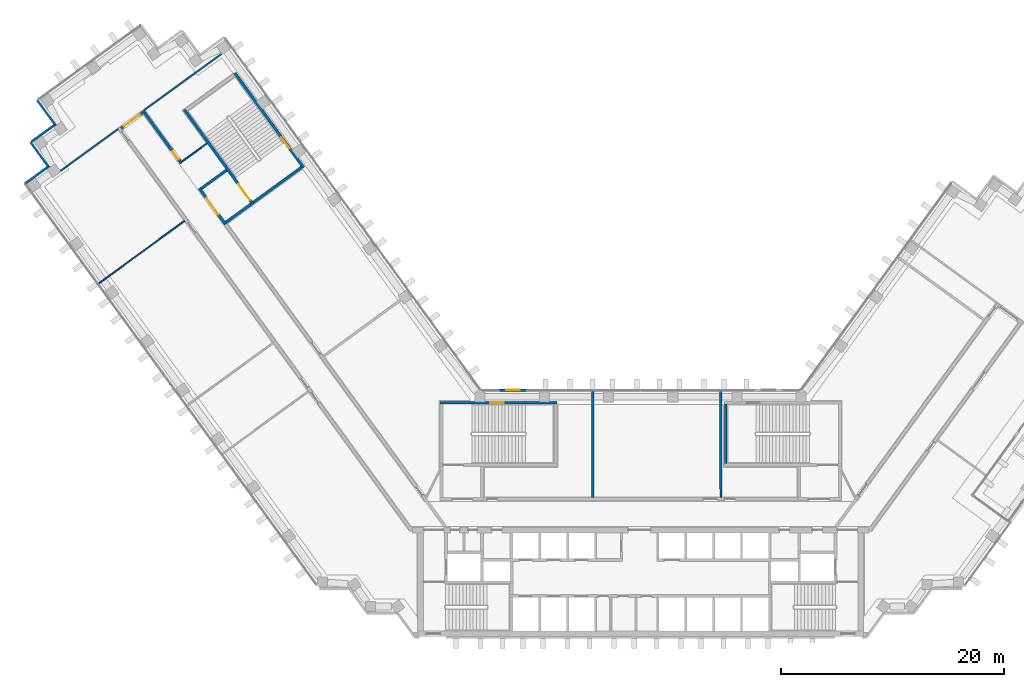
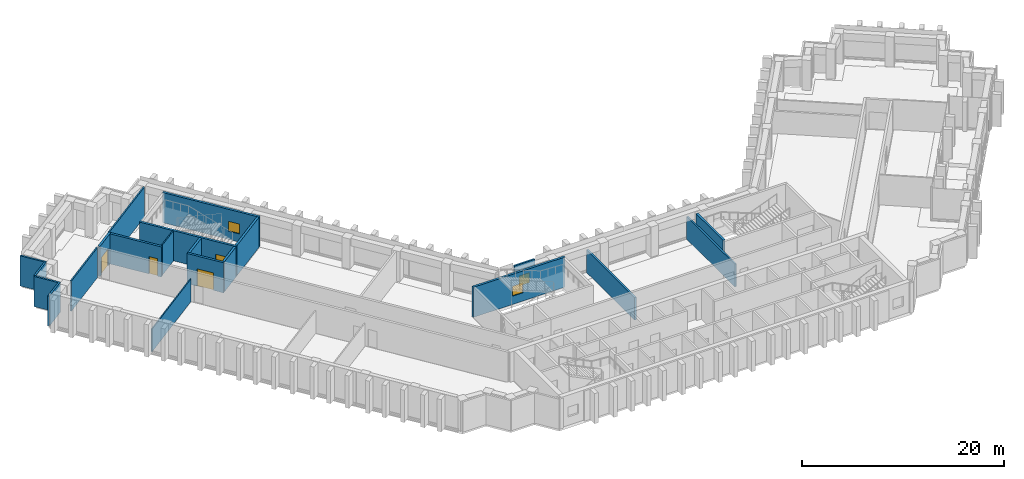
# One storey, part 9 of 15: 21 walls, 4 doors, 3 windows, 7 openings.
"""IFC4 building model written with IfcOpenShell, lengths in metres."""

import ifcopenshell
import ifcopenshell.guid

model = None  # the IFC model being written
_history = None  # IfcOwnerHistory: only IFC2X3 demands one
_inside = {}  # id of a spatial element -> (the spatial element, [elements in it])
_under = {}  # id of a project, library or spatial element -> (it, [spatial elements below it])
_declared = {}  # id of a project -> (the project, [libraries it declares])
_typed = {}  # id of a type object -> (the type object, [elements of that type])
_made_of = {}  # id of a material, layer set ... -> (it, [elements and type objects made of it])


def new_model(schema):
    """Start an empty IFC model of exactly this schema.

    Asked for "IFC4X3", IfcOpenShell would pick the latest addendum, in which some entities
    have other attributes; the version numbers below select the first issue.
    IFC2X3 requires an IfcOwnerHistory on every rooted entity: one is made here for all.
    """
    global model, _history
    if schema == "IFC4X3":
        model = ifcopenshell.file(schema_version=(4, 3, 0, 0))
    else:
        model = ifcopenshell.file(schema=schema)
    _inside.clear()
    _under.clear()
    _declared.clear()
    _typed.clear()
    _made_of.clear()
    _history = None
    if model.schema == "IFC2X3":
        org = make("IfcOrganization", Name="unknown")
        user = make(
            "IfcPersonAndOrganization",
            ThePerson=make("IfcPerson", FamilyName="unknown"),
            TheOrganization=org,
        )
        app = make(
            "IfcApplication",
            ApplicationDeveloper=org,
            Version="unknown",
            ApplicationFullName="unknown",
            ApplicationIdentifier="unknown",
        )
        _history = make(
            "IfcOwnerHistory",
            OwningUser=user,
            OwningApplication=app,
            ChangeAction="ADDED",
            CreationDate=0,
        )
    return model


def make(cls, **values):
    """One entity of the class cls with the attributes given. An attribute that is None is left unset."""
    return model.create_entity(
        cls, **{name: value for name, value in values.items() if value is not None}
    )


def rooted(cls, **values):
    """An entity with a GlobalId (a new one), such as an element, a storey or a relation."""
    return make(cls, GlobalId=ifcopenshell.guid.new(), OwnerHistory=_history, **values)


def si_unit(unit_type, name, prefix=None):
    """IfcSIUnit, for example si_unit("LENGTHUNIT", "METRE", prefix="MILLI")."""
    return make("IfcSIUnit", UnitType=unit_type, Prefix=prefix, Name=name)


def assignment(units):
    """IfcUnitAssignment: the units of a project."""
    return None if units is None else make("IfcUnitAssignment", Units=units)


def point(xyz):
    """IfcCartesianPoint."""
    return None if xyz is None else make("IfcCartesianPoint", Coordinates=xyz)


def direction(xyz):
    """IfcDirection."""
    return None if xyz is None else make("IfcDirection", DirectionRatios=xyz)


def frame(location, z_axis=None, x_axis=None):
    """IfcAxis2Placement3D, a coordinate frame: its origin and axes. An axis left out is left unset."""
    return make(
        "IfcAxis2Placement3D",
        Location=point(location),
        Axis=direction(z_axis),
        RefDirection=direction(x_axis),
    )


def frame_2d(location, x_axis=None):
    """IfcAxis2Placement2D, a coordinate frame in the plane: its origin and x axis."""
    return make(
        "IfcAxis2Placement2D", Location=point(location), RefDirection=direction(x_axis)
    )


def origin():
    """The frame at (0, 0, 0) with its axes left unset."""
    return frame((0.0, 0.0, 0.0))


def place(relative_to, where):
    """IfcLocalPlacement: puts the frame where relative to a parent placement (None: the world)."""
    return make(
        "IfcLocalPlacement", PlacementRelTo=relative_to, RelativePlacement=where
    )


def context(
    kind, dimensions, precision=None, world=None, true_north=None, identifier=None
):
    """IfcGeometricRepresentationContext, for example the 3D "Model" context."""
    return make(
        "IfcGeometricRepresentationContext",
        ContextIdentifier=identifier,
        ContextType=kind,
        CoordinateSpaceDimension=dimensions,
        Precision=precision,
        WorldCoordinateSystem=world,
        TrueNorth=true_north,
    )


def subcontext(parent, identifier, kind, view, scale=None):
    """IfcGeometricRepresentationSubContext, for example "Body" below "Model"."""
    return make(
        "IfcGeometricRepresentationSubContext",
        ContextIdentifier=identifier,
        ContextType=kind,
        ParentContext=parent,
        TargetScale=scale,
        TargetView=view,
    )


def project(units=None, contexts=None):
    """IfcProject with its units and contexts."""
    return rooted(
        "IfcProject",
        Name="project",
        RepresentationContexts=contexts,
        UnitsInContext=assignment(units),
    )


def spatial(cls, under=None, at=None, **own):
    """A site, building, storey or space (cls), placed at a placement, below another one or the project."""
    s = rooted(cls, ObjectPlacement=at, **own)
    if under is not None:
        _under.setdefault(under.id(), (under, []))[1].append(s)
    return s


def profile(cls, at=None, kind="AREA", **sizes):
    """A parametric profile (cls). Its sizes go by their IFC names, for example OverallWidth=200.0."""
    return make(cls, ProfileType=kind, Position=at, **sizes)


def rectangle(**sizes):
    """IfcRectangleProfileDef."""
    return profile("IfcRectangleProfileDef", **sizes)


def extrude(swept, where, along, depth):
    """IfcExtrudedAreaSolid: the profile swept, set in the frame where, extruded along a direction by depth."""
    return make(
        "IfcExtrudedAreaSolid",
        SweptArea=swept,
        Position=where,
        ExtrudedDirection=direction(along),
        Depth=depth,
    )


def shape(context_of_items, identifier, shape_type, items):
    """IfcShapeRepresentation: the items that make up one representation, for example the "Body"."""
    return make(
        "IfcShapeRepresentation",
        ContextOfItems=context_of_items,
        RepresentationIdentifier=identifier,
        RepresentationType=shape_type,
        Items=items,
    )


def material(Name=None, Category=None):
    """IfcMaterial."""
    return make("IfcMaterial", Name=Name, Category=Category)


def layer(
    of_material, thickness, ventilated=None, Name=None, Category=None, Priority=None
):
    """IfcMaterialLayer: one layer of a wall or slab, of a material (None: an air gap)."""
    return make(
        "IfcMaterialLayer",
        Material=of_material,
        LayerThickness=thickness,
        IsVentilated=ventilated,
        Name=Name,
        Category=Category,
        Priority=Priority,
    )


def layer_set(layers, Name=None):
    """IfcMaterialLayerSet."""
    return make("IfcMaterialLayerSet", MaterialLayers=layers, LayerSetName=Name)


def made_of(thing, what):
    """Note that an element or type object is made of a material, layer set ...; save() writes the relation."""
    if what is not None:
        _made_of.setdefault(what.id(), (what, []))[1].append(thing)
    return thing


def type_object(cls, material=None, **own):
    """A type object (cls), such as IfcWallType, which elements share."""
    return made_of(rooted(cls, **own), material)


def element(
    cls,
    number,
    at=None,
    inside=None,
    cuts=None,
    type_object=None,
    material=None,
    context=None,
    identifier="Body",
    shape_type=None,
    held_by="IfcProductDefinitionShape",
    body=None,
    shapes=None,
    **own,
):
    """One element of the class cls, such as IfcWall. Its Tag is "e" and its number.

    at: its placement. inside: the storey or other place that contains it. cuts: it is an
    opening in that element (IfcRelVoidsElement). A single representation is given by context,
    identifier, shape_type and body (its items); several are given by shapes. held_by: the class
    of the entity that holds the representations. save() writes the other relations.
    """
    e = rooted(cls, Tag="e%d" % number, ObjectPlacement=at, **own)
    if body is not None:
        shapes = [shape(context, identifier, shape_type, body)]
    if shapes is not None:
        e.Representation = make(held_by, Representations=shapes)
    if inside is not None:
        _inside.setdefault(inside.id(), (inside, []))[1].append(e)
    if cuts is not None:
        rooted(
            "IfcRelVoidsElement", RelatingBuildingElement=cuts, RelatedOpeningElement=e
        )
    if type_object is not None:
        _typed.setdefault(type_object.id(), (type_object, []))[1].append(e)
    return made_of(e, material)


def fill(opening, filler):
    """IfcRelFillsElement: the door or window that sits in an opening."""
    return rooted(
        "IfcRelFillsElement",
        RelatingOpeningElement=opening,
        RelatedBuildingElement=filler,
    )


def aggregate(whole, parts):
    """IfcRelAggregates: a whole, such as a stair, and the parts it consists of."""
    return rooted("IfcRelAggregates", RelatingObject=whole, RelatedObjects=parts)


def save(model, path):
    """Write the relations noted so far, then the file.

    IfcRelAggregates (storeys below a building ...), IfcRelContainedInSpatialStructure (elements
    in a storey), IfcRelDefinesByType, IfcRelAssociatesMaterial and IfcRelDeclares: one each for
    every whole, place, type object, material and project.
    """
    for whole, parts in _under.values():
        aggregate(whole, parts)
    for where, things in _inside.values():
        rooted(
            "IfcRelContainedInSpatialStructure",
            RelatedElements=things,
            RelatingStructure=where,
        )
    for kind, things in _typed.values():
        rooted("IfcRelDefinesByType", RelatedObjects=things, RelatingType=kind)
    for what, things in _made_of.values():
        rooted("IfcRelAssociatesMaterial", RelatedObjects=things, RelatingMaterial=what)
    for by, libraries in _declared.values():
        rooted("IfcRelDeclares", RelatingContext=by, RelatedDefinitions=libraries)
    model.write(path)


model = new_model("IFC4")

# Units and contexts
model_context = context("Model", 3, precision=1e-05, world=origin(), true_north=direction((0.0, 1.0)))
body_context = subcontext(model_context, "Body", "Model", "MODEL_VIEW")
ifc_project = project(units=[si_unit("LENGTHUNIT", "METRE"), si_unit("AREAUNIT", "SQUARE_METRE"), si_unit("VOLUMEUNIT", "CUBIC_METRE"), si_unit("PLANEANGLEUNIT", "RADIAN"), si_unit("MASSUNIT", "GRAM", prefix="KILO")], contexts=[model_context])

# Site, building, storey
site_placement = place(None, origin())
site = spatial("IfcSite", under=ifc_project, at=site_placement, CompositionType="ELEMENT")
building_placement = place(site_placement, origin())
building = spatial("IfcBuilding", under=site, at=building_placement, Name="Quipu Civic Tower", CompositionType="ELEMENT")
storey_placement = place(building_placement, frame((0.0, 0.0, 97.0)))
storey = spatial("IfcBuildingStorey", under=building, at=storey_placement, Name="L22", CompositionType="ELEMENT", Elevation=97.0)

# Walls
ifc_material_1 = material(Name="Double gypsum plasterboard with mineral wool")
ifc_layer_1 = layer(ifc_material_1, 0.14990234375)
ifc_layer_set_1 = layer_set([ifc_layer_1], Name="Double gypsum plasterboard with mineral wool")
wall_type_1 = type_object("IfcWallType", Name="Acoustic partition 150 plasterboard", PredefinedType="PARTITIONING", material=ifc_layer_set_1)
wall_1_placement = place(storey_placement, frame((-37.614013671875, 41.2568359375, 0.0), z_axis=(0.0, 0.0, 1.0), x_axis=(-0.808991595707, -0.587820208972, 0.0)))
element("IfcWall", 1, at=wall_1_placement, inside=storey, type_object=wall_type_1, Name="Partition P07", PredefinedType="PARTITIONING", context=body_context, shape_type="SweptSolid", body=[
    extrude(rectangle(XDim=8.550537109375, YDim=0.14990234375, at=frame_2d((4.275390625, 0.0))), origin(), (0.0, 0.0, 1.0), 3.64990234375),
])
wall_2_placement = place(storey_placement, frame((-46.877197265625, 34.52587890625, 0.0), z_axis=(0.0, 0.0, 1.0), x_axis=(-0.808993566199, -0.587817497059, 0.0)))
element("IfcWall", 2, at=wall_2_placement, inside=storey, type_object=wall_type_1, Name="Partition P08", PredefinedType="PARTITIONING", context=body_context, shape_type="SweptSolid", body=[
    extrude(rectangle(XDim=6.39453125, YDim=0.14990234375, at=frame_2d((3.197265625, 0.0))), origin(), (0.0, 0.0, 1.0), 3.64990234375),
])
ifc_material_2 = material(Name="Fired clay blockwork", Category="masonry")
ifc_layer_2 = layer(ifc_material_2, 0.199951171875)
ifc_layer_set_2 = layer_set([ifc_layer_2], Name="Fired clay blockwork")
wall_type_2 = type_object("IfcWallType", Name="Blockwork wall 200", PredefinedType="SOLIDWALL", material=ifc_layer_set_2)
for number, where, z_axis, x_axis, name in (
    (3, (-4.299072265625, 11.0, 0.0), (0.0, 0.0, 1.0), (0.0, -1.0, 0.0), "Partition P04"),
    (4, (7.197998046875, 1.449951171875, 0.0), (0.0, 0.0, 1.0), (-0.002377476217, 0.999997173799, 0.0), "Partition P05"),
):
    element("IfcWall", number, at=place(storey_placement, frame(where, z_axis=z_axis, x_axis=x_axis)), inside=storey, type_object=wall_type_2, Name=name, PredefinedType="SOLIDWALL", context=body_context, shape_type="SweptSolid", body=[
        extrude(rectangle(XDim=9.550048828125, YDim=0.199951171875, at=frame_2d((4.77490234375, 0.0))), origin(), (0.0, 0.0, 1.0), 2.75),
    ])

# Wall, opening, window
ifc_material_3 = material(Name="Concrete C70/85", Category="concrete")
ifc_layer_3 = layer(ifc_material_3, 0.25)
ifc_layer_set_3 = layer_set([ifc_layer_3], Name="Concrete C70/85")
wall_type_3 = type_object("IfcWallType", Name="Core wall 250", PredefinedType="SHEAR", material=ifc_layer_set_3)
wall_3_placement = place(storey_placement, frame((-18.0, 9.97509765625, 0.0), z_axis=(0.0, 0.0, 1.0), x_axis=(1.0, 0.0, 0.0)))
wall_3 = element("IfcWall", 5, at=wall_3_placement, inside=storey, type_object=wall_type_3, Name="Core wall", PredefinedType="SHEAR", context=body_context, shape_type="SweptSolid", body=[
    extrude(rectangle(XDim=10.5, YDim=0.25, at=frame_2d((5.25, 0.0))), origin(), (0.0, 0.0, 1.0), 3.64990234375),
])
opening_1_placement = place(wall_3_placement, frame((4.5, 0.0, 1.0)))
opening_1 = element("IfcOpeningElement", 6, at=opening_1_placement, cuts=wall_3, Name="Opening SV-3", PredefinedType="OPENING", context=body_context, shape_type="SweptSolid", body=[
    extrude(rectangle(XDim=1.199951171875, YDim=1.199951171875, at=frame_2d((0.60009765625, 0.60009765625))), frame((0.0, 0.135009765625, 0.0), z_axis=(0.0, -1.0, 0.0), x_axis=(1.0, 0.0, 0.0)), (0.0, 0.0, 1.0), 0.27001953125),
])
ifc_material_4 = material(Name="Aluminium louvre", Category="aluminium")
window_type_1 = type_object("IfcWindowType", Name="Stair ventilation louvre 1200 x 1200", PartitioningType="SINGLE_PANEL", PredefinedType="WINDOW", material=ifc_material_4)
window_1_placement = place(opening_1_placement, origin())
window_1 = element("IfcWindow", 7, at=window_1_placement, inside=storey, type_object=window_type_1, Name="Stair ventilation opening", OverallHeight=1.199951171875, OverallWidth=1.199951171875, PartitioningType="SINGLE_PANEL", PredefinedType="WINDOW", context=body_context, shape_type="SweptSolid", body=[
    extrude(rectangle(XDim=1.199951171875, YDim=1.199951171875, at=frame_2d((0.60009765625, 0.60009765625))), frame((0.0, 0.030029296875, 0.0), z_axis=(0.0, -1.0, 0.0), x_axis=(1.0, 0.0, 0.0)), (0.0, 0.0, 1.0), 0.06005859375),
])
fill(opening_1, window_1)

# Wall
wall_4_placement = place(storey_placement, frame((7.625, 4.5, 0.0), z_axis=(0.0, 0.0, 1.0), x_axis=(0.0, 1.0, 0.0)))
element("IfcWall", 8, at=wall_4_placement, inside=storey, type_object=wall_type_3, Name="Core wall", PredefinedType="SHEAR", context=body_context, shape_type="SweptSolid", body=[
    extrude(rectangle(XDim=5.35009765625, YDim=0.25, at=frame_2d((2.675048828125, 0.0))), origin(), (0.0, 0.0, 1.0), 3.64990234375),
])

# Wall, opening, window
wall_5_placement = place(storey_placement, frame((-30.239501953125, 31.06396484375, 0.0), z_axis=(0.0, 0.0, 1.0), x_axis=(-0.587795589702, 0.809009483706, 0.0)))
wall_5 = element("IfcWall", 9, at=wall_5_placement, inside=storey, type_object=wall_type_3, Name="Core wall", PredefinedType="SHEAR", context=body_context, shape_type="SweptSolid", body=[
    extrude(rectangle(XDim=10.5, YDim=0.25, at=frame_2d((5.25, 0.0))), origin(), (0.0, 0.0, 1.0), 3.64990234375),
])
opening_2_placement = place(wall_5_placement, frame((2.14990234375, 0.0, 1.0)))
opening_2 = element("IfcOpeningElement", 10, at=opening_2_placement, cuts=wall_5, Name="Opening SV-6", PredefinedType="OPENING", context=body_context, shape_type="SweptSolid", body=[
    extrude(rectangle(XDim=1.199951171875, YDim=1.199951171875, at=frame_2d((0.60009765625, 0.60009765625))), frame((0.0, 0.135009765625, 0.0), z_axis=(0.0, -1.0, 0.0), x_axis=(1.0, 0.0, 0.0)), (0.0, 0.0, 1.0), 0.27001953125),
])
window_2_placement = place(opening_2_placement, origin())
window_2 = element("IfcWindow", 11, at=window_2_placement, inside=storey, type_object=window_type_1, Name="Stair ventilation opening", OverallHeight=1.199951171875, OverallWidth=1.199951171875, PartitioningType="SINGLE_PANEL", PredefinedType="WINDOW", context=body_context, shape_type="SweptSolid", body=[
    extrude(rectangle(XDim=1.199951171875, YDim=1.199951171875, at=frame_2d((0.60009765625, 0.60009765625))), frame((0.0, 0.030029296875, 0.0), z_axis=(0.0, -1.0, 0.0), x_axis=(1.0, 0.0, 0.0)), (0.0, 0.0, 1.0), 0.06005859375),
])
fill(opening_2, window_2)

# Wall
wall_6_placement = place(storey_placement, frame((-30.414306640625, 31.091796875, 0.0), z_axis=(0.0, 0.0, 1.0), x_axis=(-0.8089984606, -0.587810760999, 0.0)))
element("IfcWall", 12, at=wall_6_placement, inside=storey, type_object=wall_type_3, Name="Core wall", PredefinedType="SHEAR", context=body_context, shape_type="SweptSolid", body=[
    extrude(rectangle(XDim=5.35009765625, YDim=0.25, at=frame_2d((2.675048828125, 0.0))), origin(), (0.0, 0.0, 1.0), 3.64990234375),
])

# Wall, opening, door
wall_7_placement = place(storey_placement, frame((-40.94189453125, 36.26708984375, 0.0), z_axis=(0.0, 0.0, 1.0), x_axis=(0.587795589702, -0.809009483706, 0.0)))
wall_7 = element("IfcWall", 13, at=wall_7_placement, inside=storey, type_object=wall_type_3, Name="Core wall", PredefinedType="SHEAR", context=body_context, shape_type="SweptSolid", body=[
    extrude(rectangle(XDim=10.5, YDim=0.25, at=frame_2d((5.25, 0.0))), origin(), (0.0, 0.0, 1.0), 3.64990234375),
])
opening_3_placement = place(wall_7_placement, frame((8.25, 0.0, 0.0)))
opening_3 = element("IfcOpeningElement", 14, at=opening_3_placement, cuts=wall_7, Name="Opening CD-19", PredefinedType="OPENING", context=body_context, shape_type="SweptSolid", body=[
    extrude(rectangle(XDim=1.800048828125, YDim=2.10009765625, at=frame_2d((0.89990234375, 1.050048828125))), frame((0.0, 0.135009765625, 0.0), z_axis=(0.0, -1.0, 0.0), x_axis=(1.0, 0.0, 0.0)), (0.0, 0.0, 1.0), 0.27001953125),
])
ifc_material_5 = material(Name="Fire rated steel door", Category="steel")
door_type_1 = type_object("IfcDoorType", Name="Fire door FD90 double 1800 x 2100", OperationType="NOTDEFINED", PredefinedType="DOOR", material=ifc_material_5)
door_1_placement = place(opening_3_placement, origin())
door_1 = element("IfcDoor", 15, at=door_1_placement, inside=storey, type_object=door_type_1, Name="Door", OperationType="DOUBLE_DOOR_SINGLE_SWING", OverallHeight=2.10009765625, OverallWidth=1.800048828125, PredefinedType="DOOR", context=body_context, shape_type="SweptSolid", body=[
    extrude(rectangle(XDim=1.800048828125, YDim=2.10009765625, at=frame_2d((0.89990234375, 1.050048828125))), frame((0.0, 0.02490234375, 0.0), z_axis=(0.0, -1.0, 0.0), x_axis=(1.0, 0.0, 0.0)), (0.0, 0.0, 1.0), 0.050048828125),
])
fill(opening_3, door_1)

# Walls
for number, where, z_axis, x_axis, name in (
    (16, (-34.944580078125, 27.800048828125, 0.0), (0.0, 0.0, 1.0), (-0.809041377956, -0.587751689708, 0.0), "Core wall"),
    (17, (-37.14892578125, 30.833984375, 0.0), (0.0, 0.0, 1.0), (-0.808969789945, -0.58785021813, 0.0), "Core wall"),
):
    element("IfcWall", number, at=place(storey_placement, frame(where, z_axis=z_axis, x_axis=x_axis)), inside=storey, type_object=wall_type_3, Name=name, PredefinedType="SHEAR", context=body_context, shape_type="SweptSolid", body=[
        extrude(rectangle(XDim=2.800048828125, YDim=0.25, at=frame_2d((1.39990234375, 0.0))), origin(), (0.0, 0.0, 1.0), 3.64990234375),
    ])

# Wall, opening, door
wall_8_placement = place(storey_placement, frame((-39.588623046875, 29.2158203125, 0.0), z_axis=(0.0, 0.0, 1.0), x_axis=(0.587772420479, -0.809026317077, 0.0)))
wall_8 = element("IfcWall", 18, at=wall_8_placement, inside=storey, type_object=wall_type_3, Name="Core wall", PredefinedType="SHEAR", context=body_context, shape_type="SweptSolid", body=[
    extrude(rectangle(XDim=4.0, YDim=0.25, at=frame_2d((2.0, 0.0))), origin(), (0.0, 0.0, 1.0), 3.64990234375),
])
opening_4_placement = place(wall_8_placement, frame((1.10009765625, 0.0, 0.0)))
opening_4 = element("IfcOpeningElement", 19, at=opening_4_placement, cuts=wall_8, Name="Opening CD-20", PredefinedType="OPENING", context=body_context, shape_type="SweptSolid", body=[
    extrude(rectangle(XDim=1.800048828125, YDim=2.10009765625, at=frame_2d((0.89990234375, 1.050048828125))), frame((0.0, 0.135009765625, 0.0), z_axis=(0.0, -1.0, 0.0), x_axis=(1.0, 0.0, 0.0)), (0.0, 0.0, 1.0), 0.27001953125),
])
door_2_placement = place(opening_4_placement, origin())
door_2 = element("IfcDoor", 20, at=door_2_placement, inside=storey, type_object=door_type_1, Name="Lobby door", OperationType="DOUBLE_DOOR_SINGLE_SWING", OverallHeight=2.10009765625, OverallWidth=1.800048828125, PredefinedType="DOOR", context=body_context, shape_type="SweptSolid", body=[
    extrude(rectangle(XDim=1.800048828125, YDim=2.10009765625, at=frame_2d((0.89990234375, 1.050048828125))), frame((0.0, 0.02490234375, 0.0), z_axis=(0.0, -1.0, 0.0), x_axis=(1.0, 0.0, 0.0)), (0.0, 0.0, 1.0), 0.050048828125),
])
fill(opening_4, door_2)

ifc_material_6 = material(Name="Concrete C50/60", Category="concrete")
ifc_layer_4 = layer(ifc_material_6, 0.25)
ifc_layer_set_4 = layer_set([ifc_layer_4], Name="Concrete C50/60")
wall_type_4 = type_object("IfcWallType", Name="Corridor wall 250 concrete", PredefinedType="SOLIDWALL", material=ifc_layer_set_4)
wall_9_placement = place(storey_placement, frame((-46.613037109375, 34.587890625, 0.0), z_axis=(0.0, 0.0, 1.0), x_axis=(0.808994936898, 0.587815610607, 0.0)))
wall_9 = element("IfcWall", 21, at=wall_9_placement, inside=storey, type_object=wall_type_4, Name="Corridor wall C02", PredefinedType="SOLIDWALL", context=body_context, shape_type="SweptSolid", body=[
    extrude(rectangle(XDim=2.650146484375, YDim=0.25, at=frame_2d((1.3251953125, 0.0))), origin(), (0.0, 0.0, 1.0), 3.64990234375),
])
opening_5_placement = place(wall_9_placement, frame((0.29931640625, 0.0, 0.0)))
opening_5 = element("IfcOpeningElement", 22, at=opening_5_placement, cuts=wall_9, Name="Opening D016", PredefinedType="OPENING", context=body_context, shape_type="SweptSolid", body=[
    extrude(rectangle(XDim=1.800048828125, YDim=2.10009765625, at=frame_2d((0.89990234375, 1.050048828125))), frame((0.0, 0.135009765625, 0.0), z_axis=(0.0, -1.0, 0.0), x_axis=(1.0, 0.0, 0.0)), (0.0, 0.0, 1.0), 0.27001953125),
])
ifc_material_7 = material(Name="Fire rated timber door set with metal frame", Category="wood")
door_type_2 = type_object("IfcDoorType", Name="Double door 1800 x 2100 FD60", OperationType="DOUBLE_DOOR_SINGLE_SWING", PredefinedType="DOOR", material=ifc_material_7)
door_3_placement = place(opening_5_placement, origin())
door_3 = element("IfcDoor", 23, at=door_3_placement, inside=storey, type_object=door_type_2, Name="Door D016", OperationType="DOUBLE_DOOR_SINGLE_SWING", OverallHeight=2.10009765625, OverallWidth=1.800048828125, PredefinedType="DOOR", context=body_context, shape_type="SweptSolid", body=[
    extrude(rectangle(XDim=1.800048828125, YDim=2.10009765625, at=frame_2d((0.89990234375, 1.050048828125))), frame((0.0, 0.02490234375, 0.0), z_axis=(0.0, -1.0, 0.0), x_axis=(1.0, 0.0, 0.0)), (0.0, 0.0, 1.0), 0.050048828125),
])
fill(opening_5, door_3)

wall_10_placement = place(storey_placement, frame((-44.49658203125, 35.97119140625, 0.0), z_axis=(0.0, 0.0, 1.0), x_axis=(0.587742866856, -0.809047787501, 0.0)))
wall_10 = element("IfcWall", 24, at=wall_10_placement, inside=storey, type_object=wall_type_4, Name="Corridor wall C03", PredefinedType="SOLIDWALL", context=body_context, shape_type="SweptSolid", body=[
    extrude(rectangle(XDim=5.58642578125, YDim=0.25, at=frame_2d((2.793212890625, 0.0))), origin(), (0.0, 0.0, 1.0), 3.64990234375),
])
opening_6_placement = place(wall_10_placement, frame((4.2451171875, 0.0, 0.0)))
opening_6 = element("IfcOpeningElement", 25, at=opening_6_placement, cuts=wall_10, Name="Opening D009", PredefinedType="OPENING", context=body_context, shape_type="SweptSolid", body=[
    extrude(rectangle(XDim=0.89990234375, YDim=2.10009765625, at=frame_2d((0.449951171875, 1.050048828125))), frame((0.0, 0.135009765625, 0.0), z_axis=(0.0, -1.0, 0.0), x_axis=(1.0, 0.0, 0.0)), (0.0, 0.0, 1.0), 0.27001953125),
])
ifc_material_8 = material(Name="Fire rated timber door set with metal frame", Category="wood")
door_type_3 = type_object("IfcDoorType", Name="Single door 900 x 2100 FD60", OperationType="NOTDEFINED", PredefinedType="DOOR", material=ifc_material_8)
door_4_placement = place(opening_6_placement, origin())
door_4 = element("IfcDoor", 26, at=door_4_placement, inside=storey, type_object=door_type_3, Name="Door D009", OperationType="SINGLE_SWING_RIGHT", OverallHeight=2.10009765625, OverallWidth=0.89990234375, PredefinedType="DOOR", context=body_context, shape_type="SweptSolid", body=[
    extrude(rectangle(XDim=0.89990234375, YDim=2.10009765625, at=frame_2d((0.449951171875, 1.050048828125))), frame((0.0, 0.02490234375, 0.0), z_axis=(0.0, -1.0, 0.0), x_axis=(1.0, 0.0, 0.0)), (0.0, 0.0, 1.0), 0.050048828125),
])
fill(opening_6, door_4)

# Walls
ifc_material_9 = material(Name="Gypsum plasterboard on light gauge framing")
ifc_layer_5 = layer(ifc_material_9, 0.1201171875)
ifc_layer_set_5 = layer_set([ifc_layer_5], Name="Gypsum plasterboard on light gauge framing")
wall_type_5 = type_object("IfcWallType", Name="Partition 120 plasterboard", PredefinedType="PARTITIONING", material=ifc_layer_set_5)
wall_11_placement = place(storey_placement, frame((-48.615478515625, 20.67138671875, 0.0), z_axis=(0.0, 0.0, 1.0), x_axis=(0.807691251741, 0.589605666408, 0.0)))
element("IfcWall", 27, at=wall_11_placement, inside=storey, type_object=wall_type_5, Name="Partition P09", PredefinedType="PARTITIONING", context=body_context, shape_type="SweptSolid", body=[
    extrude(rectangle(XDim=9.55029296875, YDim=0.1201171875, at=frame_2d((4.775146484375, 0.0))), origin(), (0.0, 0.0, 1.0), 2.75),
])
wall_12_placement = place(storey_placement, frame((-41.166015625, 31.59912109375, 0.0), z_axis=(0.0, 0.0, 1.0), x_axis=(0.809090262332, 0.587684394381, 0.0)))
element("IfcWall", 28, at=wall_12_placement, inside=storey, type_object=wall_type_5, Name="Partition P14", PredefinedType="PARTITIONING", context=body_context, shape_type="SweptSolid", body=[
    extrude(rectangle(XDim=2.80078125, YDim=0.1201171875, at=frame_2d((1.400390625, 0.0))), origin(), (0.0, 0.0, 1.0), 3.64990234375),
])
ifc_material_10 = material(Name="Precast concrete C40/50", Category="concrete")
wall_type_6 = type_object("IfcWallType", Name="Precast cladding wall", PredefinedType="SOLIDWALL", material=ifc_material_10)
for number, where, z_axis, x_axis, name in (
    (29, (-54.140380859375, 37.12255859375, 0.0), (0.0, 0.0, 1.0), (0.587822180636, -0.808990163075, 0.0), "Precast cladding wall L22 16"),
    (30, (-52.46533203125, 34.9873046875, 0.0), (0.0, 0.0, 1.0), (-0.809033161865, -0.587762999008, 0.0), "Precast cladding wall L22 17"),
):
    element("IfcWall", number, at=place(storey_placement, frame(where, z_axis=z_axis, x_axis=x_axis)), inside=storey, type_object=wall_type_6, Name=name, PredefinedType="SOLIDWALL", context=body_context, shape_type="SweptSolid", body=[
        extrude(rectangle(XDim=2.699951171875, YDim=0.199951171875, at=frame_2d((1.35009765625, 0.0))), origin(), (0.0, 0.0, 1.0), 3.64990234375),
    ])
wall_13_placement = place(storey_placement, frame((-54.73779296875, 33.351318359375, 0.0), z_axis=(0.0, 0.0, 1.0), x_axis=(0.587779184282, -0.809021403008, 0.0)))
element("IfcWall", 31, at=wall_13_placement, inside=storey, type_object=wall_type_6, Name="Precast cladding wall L22 18", PredefinedType="SOLIDWALL", context=body_context, shape_type="SweptSolid", body=[
    extrude(rectangle(XDim=2.7001953125, YDim=0.199951171875, at=frame_2d((1.35009765625, 0.0))), origin(), (0.0, 0.0, 1.0), 3.64990234375),
])
wall_14_placement = place(storey_placement, frame((-53.062744140625, 31.2158203125, 0.0), z_axis=(0.0, 0.0, 1.0), x_axis=(-0.809033161865, -0.587762999008, 0.0)))
element("IfcWall", 32, at=wall_14_placement, inside=storey, type_object=wall_type_6, Name="Precast cladding wall L22 19", PredefinedType="SOLIDWALL", context=body_context, shape_type="SweptSolid", body=[
    extrude(rectangle(XDim=2.699951171875, YDim=0.199951171875, at=frame_2d((1.35009765625, 0.0))), origin(), (0.0, 0.0, 1.0), 3.64990234375),
])

# Wall, opening, window
wall_15_placement = place(storey_placement, frame((-10.263427734375, 11.10009765625, 0.0), z_axis=(0.0, 0.0, 1.0), x_axis=(-1.0, 0.0, 0.0)))
wall_15 = element("IfcWall", 33, at=wall_15_placement, inside=storey, type_object=wall_type_6, Name="Vent surround SF-L22-1", PredefinedType="SOLIDWALL", context=body_context, shape_type="SweptSolid", body=[
    extrude(rectangle(XDim=2.3916015625, YDim=0.199951171875, at=frame_2d((1.19580078125, 0.0))), origin(), (0.0, 0.0, 1.0), 3.64990234375),
])
opening_7_placement = place(wall_15_placement, frame((0.595703125, 0.0, 1.0)))
opening_7 = element("IfcOpeningElement", 34, at=opening_7_placement, cuts=wall_15, Name="Opening SF-L22-1", PredefinedType="OPENING", context=body_context, shape_type="SweptSolid", body=[
    extrude(rectangle(XDim=1.199951171875, YDim=1.199951171875, at=frame_2d((0.60009765625, 0.60009765625))), frame((0.0, 0.10986328125, 0.0), z_axis=(0.0, -1.0, 0.0), x_axis=(1.0, 0.0, 0.0)), (0.0, 0.0, 1.0), 0.219970703125),
])
ifc_material_11 = material(Name="Anodised aluminium louvre", Category="aluminium")
window_type_2 = type_object("IfcWindowType", Name="Stair vent louvre window P3", PartitioningType="SINGLE_PANEL", PredefinedType="WINDOW", material=ifc_material_11)
window_3_placement = place(opening_7_placement, origin())
window_3 = element("IfcWindow", 35, at=window_3_placement, inside=storey, type_object=window_type_2, Name="Stair vent louvre SF-L22-1", OverallHeight=1.199951171875, OverallWidth=1.199951171875, PartitioningType="SINGLE_PANEL", PredefinedType="WINDOW", context=body_context, shape_type="SweptSolid", body=[
    extrude(rectangle(XDim=1.199951171875, YDim=1.199951171875, at=frame_2d((0.60009765625, 0.60009765625))), frame((0.0, 0.030029296875, 0.0), z_axis=(0.0, -1.0, 0.0), x_axis=(1.0, 0.0, 0.0)), (0.0, 0.0, 1.0), 0.06005859375),
])
fill(opening_7, window_3)

save(model, "model.ifc")
